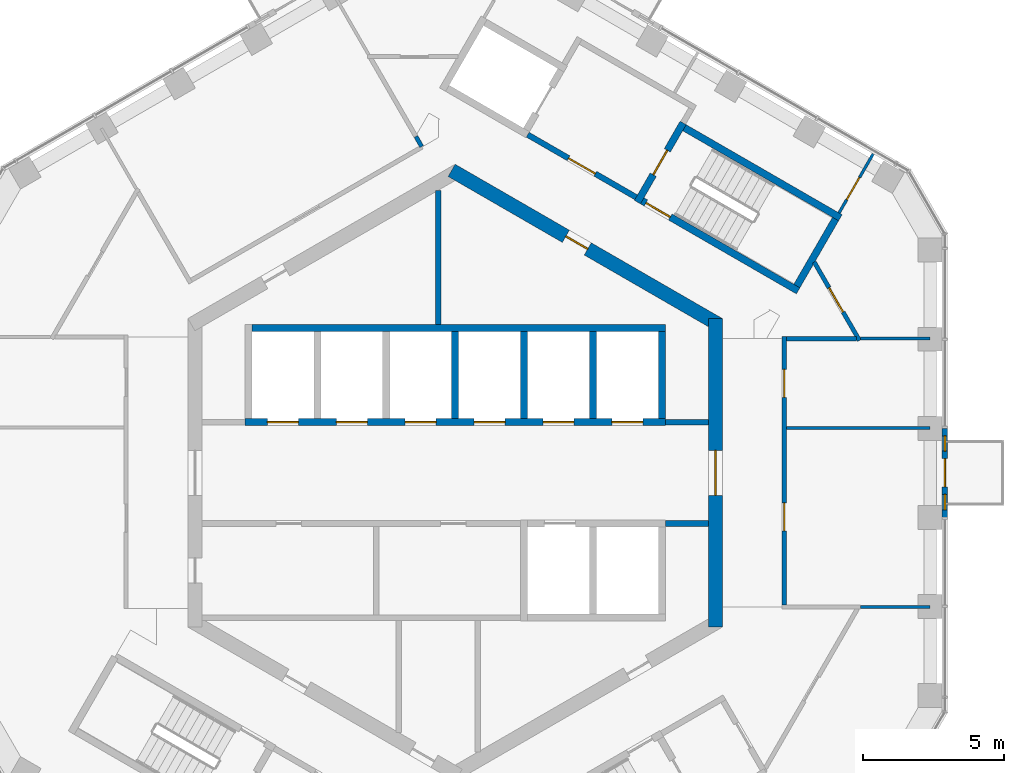
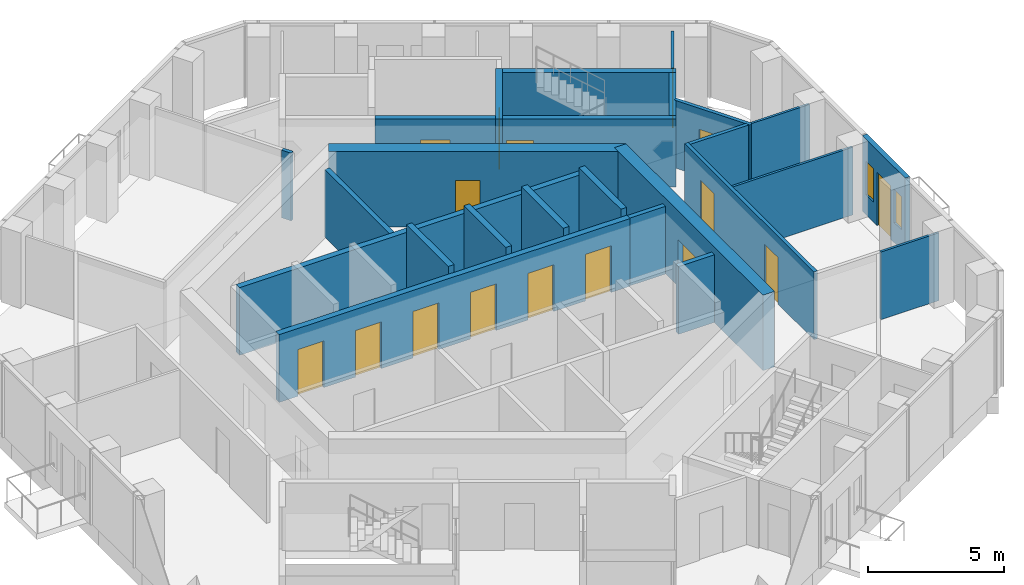
# One storey, part 15 of 19: 25 walls, 16 doors, 2 windows, 18 openings.
"""IFC4 building model written with IfcOpenShell, lengths in metres."""

from ifc_helpers import new_model, si_unit, direction, frame, frame_2d, origin, place, context, subcontext, project, spatial, rectangle, extrude, material, layer, layer_set, type_object, element, fill, save


model = new_model("IFC4")

# Units and contexts
model_context = context("Model", 3, precision=1e-05, world=origin(), true_north=direction((0.0, 1.0)))
body_context = subcontext(model_context, "Body", "Model", "MODEL_VIEW")
ifc_project = project(units=[si_unit("LENGTHUNIT", "METRE"), si_unit("AREAUNIT", "SQUARE_METRE"), si_unit("VOLUMEUNIT", "CUBIC_METRE"), si_unit("PLANEANGLEUNIT", "RADIAN"), si_unit("MASSUNIT", "GRAM", prefix="KILO")], contexts=[model_context])

# Site, building, storey
site_placement = place(None, origin())
site = spatial("IfcSite", under=ifc_project, at=site_placement, CompositionType="ELEMENT")
building_placement = place(site_placement, origin())
building = spatial("IfcBuilding", under=site, at=building_placement, Name="Ayvan Gate Tower", CompositionType="ELEMENT")
storey_placement = place(building_placement, frame((0.0, 0.0, 222.300048828125)))
storey = spatial("IfcBuildingStorey", under=building, at=storey_placement, Name="L59", CompositionType="ELEMENT", Elevation=222.300048828125)

# Wall, openings, door, windows
ifc_material_1 = material(Name="Insulated metal panel wall")
ifc_layer_1 = layer(ifc_material_1, 0.199951171875)
ifc_layer_set_1 = layer_set([ifc_layer_1], Name="Insulated metal panel wall")
wall_type_1 = type_object("IfcWallType", Name="Balcony door wall 200", PredefinedType="SOLIDWALL", material=ifc_layer_set_1)
wall_1_placement = place(storey_placement, frame((17.41259765625, -1.58251953125, 0.0), z_axis=(0.0, 0.0, 1.0), x_axis=(0.0, 1.0, 0.0)))
wall_1 = element("IfcWall", 1, at=wall_1_placement, inside=storey, type_object=wall_type_1, Name="EW:L59:0:2", PredefinedType="SOLIDWALL", context=body_context, shape_type="SweptSolid", body=[
    extrude(rectangle(XDim=3.166015625, YDim=0.199951171875, at=frame_2d((1.5830078125, 0.0))), origin(), (0.0, 0.0, 1.0), 3.39990234375),
])
opening_1_placement = place(wall_1_placement, frame((1.0830078125, 0.0, 0.0)))
opening_1 = element("IfcOpeningElement", 2, at=opening_1_placement, cuts=wall_1, Name="Opening L59-D90", PredefinedType="OPENING", context=body_context, shape_type="SweptSolid", body=[
    extrude(rectangle(XDim=1.0, YDim=2.39990234375, at=frame_2d((0.5, 1.199951171875))), frame((0.0, 0.10986328125, 0.0), z_axis=(0.0, -1.0, 0.0), x_axis=(1.0, 0.0, 0.0)), (0.0, 0.0, 1.0), 0.219970703125),
])
opening_2_placement = place(wall_1_placement, frame((0.2666015625, 0.0, 0.89990234375)))
opening_2 = element("IfcOpeningElement", 3, at=opening_2_placement, cuts=wall_1, Name="Opening W-B4", PredefinedType="OPENING", context=body_context, shape_type="SweptSolid", body=[
    extrude(rectangle(XDim=0.550048828125, YDim=1.5, at=frame_2d((0.27490234375, 0.75))), frame((0.0, 0.10986328125, 0.0), z_axis=(0.0, -1.0, 0.0), x_axis=(1.0, 0.0, 0.0)), (0.0, 0.0, 1.0), 0.219970703125),
])
opening_3_placement = place(wall_1_placement, frame((2.349609375, 0.0, 0.89990234375)))
opening_3 = element("IfcOpeningElement", 4, at=opening_3_placement, cuts=wall_1, Name="Opening W-B4", PredefinedType="OPENING", context=body_context, shape_type="SweptSolid", body=[
    extrude(rectangle(XDim=0.550048828125, YDim=1.5, at=frame_2d((0.27490234375, 0.75))), frame((0.0, 0.10986328125, 0.0), z_axis=(0.0, -1.0, 0.0), x_axis=(1.0, 0.0, 0.0)), (0.0, 0.0, 1.0), 0.219970703125),
])
ifc_material_2 = material(Name="Bronze anodised aluminium and clear glass", Category="aluminium")
door_type_1 = type_object("IfcDoorType", Name="Balcony door D-B", OperationType="SINGLE_SWING_RIGHT", PredefinedType="DOOR", material=ifc_material_2)
door_1_placement = place(opening_1_placement, origin())
door_1 = element("IfcDoor", 5, at=door_1_placement, inside=storey, type_object=door_type_1, Name="Balcony door BAL-L59-0", OperationType="SINGLE_SWING_RIGHT", OverallHeight=2.39990234375, OverallWidth=1.0, PredefinedType="DOOR", context=body_context, shape_type="SweptSolid", body=[
    extrude(rectangle(XDim=1.0, YDim=2.39990234375, at=frame_2d((0.5, 1.199951171875))), frame((0.0, 0.02490234375, 0.0), z_axis=(0.0, -1.0, 0.0), x_axis=(1.0, 0.0, 0.0)), (0.0, 0.0, 1.0), 0.050048828125),
])
fill(opening_1, door_1)
window_type = type_object("IfcWindowType", Name="Balcony side light W-B Z4", PartitioningType="SINGLE_PANEL", PredefinedType="WINDOW", material=ifc_material_2)
window_1_placement = place(opening_2_placement, origin())
window_1 = element("IfcWindow", 6, at=window_1_placement, inside=storey, type_object=window_type, Name="Balcony side light BAL-L59-0.1", OverallHeight=1.5, OverallWidth=0.550048828125, PartitioningType="SINGLE_PANEL", PredefinedType="WINDOW", context=body_context, shape_type="SweptSolid", body=[
    extrude(rectangle(XDim=0.550048828125, YDim=1.5, at=frame_2d((0.27490234375, 0.75))), frame((0.0, 0.030029296875, 0.0), z_axis=(0.0, -1.0, 0.0), x_axis=(1.0, 0.0, 0.0)), (0.0, 0.0, 1.0), 0.06005859375),
])
fill(opening_2, window_1)
window_2_placement = place(opening_3_placement, origin())
window_2 = element("IfcWindow", 7, at=window_2_placement, inside=storey, type_object=window_type, Name="Balcony side light BAL-L59-0.2", OverallHeight=1.5, OverallWidth=0.550048828125, PartitioningType="SINGLE_PANEL", PredefinedType="WINDOW", context=body_context, shape_type="SweptSolid", body=[
    extrude(rectangle(XDim=0.550048828125, YDim=1.5, at=frame_2d((0.27490234375, 0.75))), frame((0.0, 0.030029296875, 0.0), z_axis=(0.0, -1.0, 0.0), x_axis=(1.0, 0.0, 0.0)), (0.0, 0.0, 1.0), 0.06005859375),
])
fill(opening_3, window_2)

# Wall, opening, door
ifc_material_3 = material(Name="Concrete C60/75", Category="concrete")
ifc_layer_2 = layer(ifc_material_3, 0.5)
ifc_layer_set_2 = layer_set([ifc_layer_2], Name="Concrete C60/75")
wall_type_2 = type_object("IfcWallType", Name="Core wall 500 C60/75", PredefinedType="SHEAR", material=ifc_layer_set_2)
wall_2_placement = place(storey_placement, frame((9.25, -5.48486328125, 0.0), z_axis=(0.0, 0.0, 1.0), x_axis=(0.0, 1.0, 0.0)))
wall_2 = element("IfcWall", 8, at=wall_2_placement, inside=storey, type_object=wall_type_2, Name="CORE-L59-0", PredefinedType="SHEAR", context=body_context, shape_type="SweptSolid", body=[
    extrude(rectangle(XDim=10.9697265625, YDim=0.5, at=frame_2d((5.48486328125, 0.0))), origin(), (0.0, 0.0, 1.0), 3.39990234375),
])
opening_4_placement = place(wall_2_placement, frame((4.684814453125, 0.0, 0.0)))
opening_4 = element("IfcOpeningElement", 9, at=opening_4_placement, cuts=wall_2, Name="Opening L59-D102", PredefinedType="OPENING", context=body_context, shape_type="SweptSolid", body=[
    extrude(rectangle(XDim=1.60009765625, YDim=2.10009765625, at=frame_2d((0.800048828125, 1.050048828125))), frame((0.0, 0.260009765625, 0.0), z_axis=(0.0, -1.0, 0.0), x_axis=(1.0, 0.0, 0.0)), (0.0, 0.0, 1.0), 0.52001953125),
])
ifc_material_4 = material(Name="Timber door leaf", Category="wood")
door_type_2 = type_object("IfcDoorType", Name="DT-1600", OperationType="NOTDEFINED", PredefinedType="DOOR", material=ifc_material_4)
door_2_placement = place(opening_4_placement, origin())
door_2 = element("IfcDoor", 10, at=door_2_placement, inside=storey, type_object=door_type_2, Name="CD-L59-102", OperationType="SINGLE_SWING_LEFT", OverallHeight=2.10009765625, OverallWidth=1.60009765625, PredefinedType="DOOR", context=body_context, shape_type="SweptSolid", body=[
    extrude(rectangle(XDim=1.60009765625, YDim=2.10009765625, at=frame_2d((0.800048828125, 1.050048828125))), frame((0.0, 0.02490234375, 0.0), z_axis=(0.0, -1.0, 0.0), x_axis=(1.0, 0.0, 0.0)), (0.0, 0.0, 1.0), 0.050048828125),
])
fill(opening_4, door_2)

wall_3_placement = place(storey_placement, frame((9.375, 5.268310546875, 0.0), z_axis=(0.0, 0.0, 1.0), x_axis=(-0.866023993627, 0.500002442456, 0.0)))
wall_3 = element("IfcWall", 11, at=wall_3_placement, inside=storey, type_object=wall_type_2, Name="CORE-L59-1", PredefinedType="SHEAR", context=body_context, shape_type="SweptSolid", body=[
    extrude(rectangle(XDim=10.9697265625, YDim=0.5, at=frame_2d((5.48486328125, 0.0))), origin(), (0.0, 0.0, 1.0), 3.39990234375),
])
opening_5_placement = place(wall_3_placement, frame((5.3818359375, 0.0, 0.0)))
opening_5 = element("IfcOpeningElement", 12, at=opening_5_placement, cuts=wall_3, Name="Opening L59-D97", PredefinedType="OPENING", context=body_context, shape_type="SweptSolid", body=[
    extrude(rectangle(XDim=0.89990234375, YDim=2.10009765625, at=frame_2d((0.449951171875, 1.050048828125))), frame((0.0, 0.260009765625, 0.0), z_axis=(0.0, -1.0, 0.0), x_axis=(1.0, 0.0, 0.0)), (0.0, 0.0, 1.0), 0.52001953125),
])
door_type_3 = type_object("IfcDoorType", Name="DT-900", OperationType="NOTDEFINED", PredefinedType="DOOR", material=ifc_material_4)
door_3_placement = place(opening_5_placement, origin())
door_3 = element("IfcDoor", 13, at=door_3_placement, inside=storey, type_object=door_type_3, Name="CD-L59-97", OperationType="SINGLE_SWING_RIGHT", OverallHeight=2.10009765625, OverallWidth=0.89990234375, PredefinedType="DOOR", context=body_context, shape_type="SweptSolid", body=[
    extrude(rectangle(XDim=0.89990234375, YDim=2.10009765625, at=frame_2d((0.449951171875, 1.050048828125))), frame((0.0, 0.02490234375, 0.0), z_axis=(0.0, -1.0, 0.0), x_axis=(1.0, 0.0, 0.0)), (0.0, 0.0, 1.0), 0.050048828125),
])
fill(opening_5, door_3)

# Wall
ifc_material_5 = material(Name="Plasterboard on steel stud", Category="steel")
ifc_layer_3 = layer(ifc_material_5, 0.14990234375)
ifc_layer_set_3 = layer_set([ifc_layer_3], Name="Plasterboard on steel stud")
wall_type_3 = type_object("IfcWallType", Name="WT-CORR-150", PredefinedType="PARTITIONING", material=ifc_layer_set_3)
wall_4_placement = place(storey_placement, frame((-1.393310546875, 11.952392578125, 0.0), z_axis=(0.0, 0.0, 1.0), x_axis=(0.500068051468, -0.865986110686, 0.0)))
element("IfcWall", 14, at=wall_4_placement, inside=storey, type_object=wall_type_3, Name="IW-L59-031", PredefinedType="PARTITIONING", context=body_context, shape_type="SweptSolid", body=[
    extrude(rectangle(XDim=0.40771484375, YDim=0.14990234375, at=frame_2d((0.203857421875, 0.0))), origin(), (0.0, 0.0, 1.0), 3.050048828125),
])

# Wall, openings, doors
wall_5_placement = place(storey_placement, frame((11.699951171875, -4.694580078125, 0.0), z_axis=(0.0, 0.0, 1.0), x_axis=(0.0, 1.0, 0.0)))
wall_5 = element("IfcWall", 15, at=wall_5_placement, inside=storey, type_object=wall_type_3, Name="IW-L59-071", PredefinedType="PARTITIONING", context=body_context, shape_type="SweptSolid", body=[
    extrude(rectangle(XDim=9.539306640625, YDim=0.14990234375, at=frame_2d((4.76953125, 0.0))), origin(), (0.0, 0.0, 1.0), 3.050048828125),
])
opening_6_placement = place(wall_5_placement, frame((2.627197265625, 0.0, 0.0)))
opening_6 = element("IfcOpeningElement", 16, at=opening_6_placement, cuts=wall_5, Name="Opening L59-D21", PredefinedType="OPENING", context=body_context, shape_type="SweptSolid", body=[
    extrude(rectangle(XDim=1.0, YDim=2.10009765625, at=frame_2d((0.5, 1.050048828125))), frame((0.0, 0.0849609375, 0.0), z_axis=(0.0, -1.0, 0.0), x_axis=(1.0, 0.0, 0.0)), (0.0, 0.0, 1.0), 0.169921875),
])
opening_7_placement = place(wall_5_placement, frame((7.37451171875, 0.0, 0.0)))
opening_7 = element("IfcOpeningElement", 17, at=opening_7_placement, cuts=wall_5, Name="Opening L59-D22", PredefinedType="OPENING", context=body_context, shape_type="SweptSolid", body=[
    extrude(rectangle(XDim=1.0, YDim=2.10009765625, at=frame_2d((0.5, 1.050048828125))), frame((0.0, 0.0849609375, 0.0), z_axis=(0.0, -1.0, 0.0), x_axis=(1.0, 0.0, 0.0)), (0.0, 0.0, 1.0), 0.169921875),
])
door_type_4 = type_object("IfcDoorType", Name="DT-1000", OperationType="NOTDEFINED", PredefinedType="DOOR", material=ifc_material_4)
door_4_placement = place(opening_6_placement, origin())
door_4 = element("IfcDoor", 18, at=door_4_placement, inside=storey, type_object=door_type_4, Name="ID-L59-021", OperationType="SINGLE_SWING_RIGHT", OverallHeight=2.10009765625, OverallWidth=1.0, PredefinedType="DOOR", context=body_context, shape_type="SweptSolid", body=[
    extrude(rectangle(XDim=1.0, YDim=2.10009765625, at=frame_2d((0.5, 1.050048828125))), frame((0.0, 0.02490234375, 0.0), z_axis=(0.0, -1.0, 0.0), x_axis=(1.0, 0.0, 0.0)), (0.0, 0.0, 1.0), 0.050048828125),
])
fill(opening_6, door_4)
door_5_placement = place(opening_7_placement, origin())
door_5 = element("IfcDoor", 19, at=door_5_placement, inside=storey, type_object=door_type_4, Name="ID-L59-022", OperationType="SINGLE_SWING_LEFT", OverallHeight=2.10009765625, OverallWidth=1.0, PredefinedType="DOOR", context=body_context, shape_type="SweptSolid", body=[
    extrude(rectangle(XDim=1.0, YDim=2.10009765625, at=frame_2d((0.5, 1.050048828125))), frame((0.0, 0.02490234375, 0.0), z_axis=(0.0, -1.0, 0.0), x_axis=(1.0, 0.0, 0.0)), (0.0, 0.0, 1.0), 0.050048828125),
])
fill(opening_7, door_5)

# Wall, opening, door
wall_6_placement = place(storey_placement, frame((12.76513671875, 7.493408203125, 0.0), z_axis=(0.0, 0.0, 1.0), x_axis=(0.499995898912, -0.866027771536, 0.0)))
wall_6 = element("IfcWall", 20, at=wall_6_placement, inside=storey, type_object=wall_type_3, Name="IW-L59-074", PredefinedType="PARTITIONING", context=body_context, shape_type="SweptSolid", body=[
    extrude(rectangle(XDim=3.22021484375, YDim=0.14990234375, at=frame_2d((1.610107421875, 0.0))), origin(), (0.0, 0.0, 1.0), 3.050048828125),
])
opening_8_placement = place(wall_6_placement, frame((1.05517578125, 0.0, 0.0)))
opening_8 = element("IfcOpeningElement", 21, at=opening_8_placement, cuts=wall_6, Name="Opening L59-D23", PredefinedType="OPENING", context=body_context, shape_type="SweptSolid", body=[
    extrude(rectangle(XDim=1.0, YDim=2.10009765625, at=frame_2d((0.5, 1.050048828125))), frame((0.0, 0.0849609375, 0.0), z_axis=(0.0, -1.0, 0.0), x_axis=(1.0, 0.0, 0.0)), (0.0, 0.0, 1.0), 0.169921875),
])
door_6_placement = place(opening_8_placement, origin())
door_6 = element("IfcDoor", 22, at=door_6_placement, inside=storey, type_object=door_type_4, Name="ID-L59-023", OperationType="SINGLE_SWING_RIGHT", OverallHeight=2.10009765625, OverallWidth=1.0, PredefinedType="DOOR", context=body_context, shape_type="SweptSolid", body=[
    extrude(rectangle(XDim=1.0, YDim=2.10009765625, at=frame_2d((0.5, 1.050048828125))), frame((0.0, 0.02490234375, 0.0), z_axis=(0.0, -1.0, 0.0), x_axis=(1.0, 0.0, 0.0)), (0.0, 0.0, 1.0), 0.050048828125),
])
fill(opening_8, door_6)

# Walls
wall_7_placement = place(storey_placement, frame((14.2626953125, 4.769775390625, 0.0), z_axis=(0.0, 0.0, 1.0), x_axis=(-1.0, 0.0, 0.0)))
element("IfcWall", 23, at=wall_7_placement, inside=storey, type_object=wall_type_3, Name="IW-L59-077", PredefinedType="PARTITIONING", context=body_context, shape_type="SweptSolid", body=[
    extrude(rectangle(XDim=2.48779296875, YDim=0.14990234375, at=frame_2d((1.243896484375, 0.0))), origin(), (0.0, 0.0, 1.0), 3.050048828125),
])
ifc_layer_4 = layer(ifc_material_5, 0.10009765625)
ifc_layer_set_4 = layer_set([ifc_layer_4], Name="Plasterboard on steel stud")
wall_type_4 = type_object("IfcWallType", Name="WT-PART-100", PredefinedType="PARTITIONING", material=ifc_layer_set_4)
wall_8_placement = place(storey_placement, frame((11.77490234375, 1.58984375, 0.0), z_axis=(0.0, 0.0, 1.0), x_axis=(1.0, 0.0, 0.0)))
element("IfcWall", 24, at=wall_8_placement, inside=storey, type_object=wall_type_4, Name="IW-L59-070", PredefinedType="PARTITIONING", context=body_context, shape_type="SweptSolid", body=[
    extrude(rectangle(XDim=5.112548828125, YDim=0.10009765625, at=frame_2d((2.55615234375, 0.0))), origin(), (0.0, 0.0, 1.0), 3.050048828125),
])

# Wall, opening, door
wall_9_placement = place(storey_placement, frame((13.647705078125, 9.23876953125, 0.0), z_axis=(0.0, 0.0, 1.0), x_axis=(0.500103096288, 0.865965872932, 0.0)))
wall_9 = element("IfcWall", 25, at=wall_9_placement, inside=storey, type_object=wall_type_4, Name="IW-L59-076", PredefinedType="PARTITIONING", context=body_context, shape_type="SweptSolid", body=[
    extrude(rectangle(XDim=2.42431640625, YDim=0.10009765625, at=frame_2d((1.212158203125, 0.0))), origin(), (0.0, 0.0, 1.0), 3.050048828125),
])
opening_9_placement = place(wall_9_placement, frame((0.551513671875, 0.0, 0.0)))
opening_9 = element("IfcOpeningElement", 26, at=opening_9_placement, cuts=wall_9, Name="Opening L59-D24", PredefinedType="OPENING", context=body_context, shape_type="SweptSolid", body=[
    extrude(rectangle(XDim=0.89990234375, YDim=2.10009765625, at=frame_2d((0.449951171875, 1.050048828125))), frame((0.0, 0.06005859375, 0.0), z_axis=(0.0, -1.0, 0.0), x_axis=(1.0, 0.0, 0.0)), (0.0, 0.0, 1.0), 0.1201171875),
])
door_7_placement = place(opening_9_placement, origin())
door_7 = element("IfcDoor", 27, at=door_7_placement, inside=storey, type_object=door_type_3, Name="ID-L59-024", OperationType="SINGLE_SWING_LEFT", OverallHeight=2.10009765625, OverallWidth=0.89990234375, PredefinedType="DOOR", context=body_context, shape_type="SweptSolid", body=[
    extrude(rectangle(XDim=0.89990234375, YDim=2.10009765625, at=frame_2d((0.449951171875, 1.050048828125))), frame((0.0, 0.02490234375, 0.0), z_axis=(0.0, -1.0, 0.0), x_axis=(1.0, 0.0, 0.0)), (0.0, 0.0, 1.0), 0.050048828125),
])
fill(opening_9, door_7)

# Walls
for number, where, z_axis, x_axis, name in (
    (28, (14.41259765625, 4.769775390625, 0.0), (0.0, 0.0, 1.0), (1.0, 0.0, 0.0), "IW-L59-078"),
    (29, (16.887451171875, -4.769775390625, 0.0), (0.0, 0.0, 1.0), (-1.0, 0.0, 0.0), "IW-L59-080"),
):
    element("IfcWall", number, at=place(storey_placement, frame(where, z_axis=z_axis, x_axis=x_axis)), inside=storey, type_object=wall_type_4, Name=name, PredefinedType="PARTITIONING", context=body_context, shape_type="SweptSolid", body=[
        extrude(rectangle(XDim=2.474853515625, YDim=0.10009765625, at=frame_2d((1.2373046875, 0.0))), origin(), (0.0, 0.0, 1.0), 3.050048828125),
    ])
ifc_layer_5 = layer(ifc_material_5, 0.199951171875)
ifc_layer_set_5 = layer_set([ifc_layer_5], Name="Plasterboard on steel stud")
wall_type_5 = type_object("IfcWallType", Name="WT-RATED-200", PredefinedType="PARTITIONING", material=ifc_layer_set_5)
wall_10_placement = place(storey_placement, frame((-0.60009765625, 10.0458984375, 0.0), z_axis=(0.0, 0.0, 1.0), x_axis=(0.0, -1.0, 0.0)))
element("IfcWall", 30, at=wall_10_placement, inside=storey, type_object=wall_type_5, Name="IW-L59-033", PredefinedType="PARTITIONING", context=body_context, shape_type="SweptSolid", body=[
    extrude(rectangle(XDim=4.77099609375, YDim=0.199951171875, at=frame_2d((2.385498046875, 0.0))), origin(), (0.0, 0.0, 1.0), 3.050048828125),
])

# Wall, opening, door
wall_11_placement = place(storey_placement, frame((6.4345703125, 9.794921875, 0.0), z_axis=(0.0, 0.0, 1.0), x_axis=(-0.866012907634, 0.500021643343, 0.0)))
wall_11 = element("IfcWall", 31, at=wall_11_placement, inside=storey, type_object=wall_type_5, Name="IW-L59-054", PredefinedType="PARTITIONING", context=body_context, shape_type="SweptSolid", body=[
    extrude(rectangle(XDim=4.449951171875, YDim=0.199951171875, at=frame_2d((2.22509765625, 0.0))), origin(), (0.0, 0.0, 1.0), 3.050048828125),
])
opening_10_placement = place(wall_11_placement, frame((1.675048828125, 0.0, 0.0)))
opening_10 = element("IfcOpeningElement", 32, at=opening_10_placement, cuts=wall_11, Name="Opening L59-D12", PredefinedType="OPENING", context=body_context, shape_type="SweptSolid", body=[
    extrude(rectangle(XDim=1.10009765625, YDim=2.10009765625, at=frame_2d((0.550048828125, 1.050048828125))), frame((0.0, 0.10986328125, 0.0), z_axis=(0.0, -1.0, 0.0), x_axis=(1.0, 0.0, 0.0)), (0.0, 0.0, 1.0), 0.219970703125),
])
door_type_5 = type_object("IfcDoorType", Name="DT-1100", OperationType="NOTDEFINED", PredefinedType="DOOR", material=ifc_material_4)
door_8_placement = place(opening_10_placement, origin())
door_8 = element("IfcDoor", 33, at=door_8_placement, inside=storey, type_object=door_type_5, Name="ID-L59-012", OperationType="SINGLE_SWING_LEFT", OverallHeight=2.10009765625, OverallWidth=1.10009765625, PredefinedType="DOOR", context=body_context, shape_type="SweptSolid", body=[
    extrude(rectangle(XDim=1.10009765625, YDim=2.10009765625, at=frame_2d((0.550048828125, 1.050048828125))), frame((0.0, 0.02490234375, 0.0), z_axis=(0.0, -1.0, 0.0), x_axis=(1.0, 0.0, 0.0)), (0.0, 0.0, 1.0), 0.050048828125),
])
fill(opening_10, door_8)

# Walls
for number, where, z_axis, x_axis, name in (
    (34, (7.474853515625, 1.800048828125, 0.0), (0.0, 0.0, 1.0), (1.0, 0.0, 0.0), "IW-L59-060"),
    (35, (9.0, -1.800048828125, 0.0), (0.0, 0.0, 1.0), (-1.0, 0.0, 0.0), "IW-L59-066"),
):
    element("IfcWall", number, at=place(storey_placement, frame(where, z_axis=z_axis, x_axis=x_axis)), inside=storey, type_object=wall_type_5, Name=name, PredefinedType="PARTITIONING", context=body_context, shape_type="SweptSolid", body=[
        extrude(rectangle(XDim=1.525146484375, YDim=0.199951171875, at=frame_2d((0.7626953125, 0.0))), origin(), (0.0, 0.0, 1.0), 3.050048828125),
    ])

# Wall, openings, doors
ifc_material_6 = material(Name="Concrete C50/60", Category="concrete")
ifc_layer_6 = layer(ifc_material_6, 0.25)
ifc_layer_set_6 = layer_set([ifc_layer_6], Name="Concrete C50/60")
wall_type_6 = type_object("IfcWallType", Name="WT-RC-250", PredefinedType="SHEAR", material=ifc_layer_set_6)
wall_12_placement = place(storey_placement, frame((-7.47509765625, 1.800048828125, 0.0), z_axis=(0.0, 0.0, 1.0), x_axis=(1.0, 0.0, 0.0)))
wall_12 = element("IfcWall", 36, at=wall_12_placement, inside=storey, type_object=wall_type_6, Name="IW-L59-013", PredefinedType="SHEAR", context=body_context, shape_type="SweptSolid", body=[
    extrude(rectangle(XDim=14.9501953125, YDim=0.25, at=frame_2d((7.47509765625, 0.0))), origin(), (0.0, 0.0, 1.0), 3.050048828125),
])
opening_11_placement = place(wall_12_placement, frame((0.800048828125, 0.0, 0.0)))
opening_11 = element("IfcOpeningElement", 37, at=opening_11_placement, cuts=wall_12, Name="Opening L59-LD-HR1", PredefinedType="OPENING", context=body_context, shape_type="SweptSolid", body=[
    extrude(rectangle(XDim=1.10009765625, YDim=2.10009765625, at=frame_2d((0.550048828125, 1.050048828125))), frame((0.0, 0.135009765625, 0.0), z_axis=(0.0, -1.0, 0.0), x_axis=(1.0, 0.0, 0.0)), (0.0, 0.0, 1.0), 0.27001953125),
])
opening_12_placement = place(wall_12_placement, frame((3.25, 0.0, 0.0)))
opening_12 = element("IfcOpeningElement", 38, at=opening_12_placement, cuts=wall_12, Name="Opening L59-LD-HR2", PredefinedType="OPENING", context=body_context, shape_type="SweptSolid", body=[
    extrude(rectangle(XDim=1.10009765625, YDim=2.10009765625, at=frame_2d((0.550048828125, 1.050048828125))), frame((0.0, 0.135009765625, 0.0), z_axis=(0.0, -1.0, 0.0), x_axis=(1.0, 0.0, 0.0)), (0.0, 0.0, 1.0), 0.27001953125),
])
opening_13_placement = place(wall_12_placement, frame((5.7001953125, 0.0, 0.0)))
opening_13 = element("IfcOpeningElement", 39, at=opening_13_placement, cuts=wall_12, Name="Opening L59-LD-HR3", PredefinedType="OPENING", context=body_context, shape_type="SweptSolid", body=[
    extrude(rectangle(XDim=1.10009765625, YDim=2.10009765625, at=frame_2d((0.550048828125, 1.050048828125))), frame((0.0, 0.135009765625, 0.0), z_axis=(0.0, -1.0, 0.0), x_axis=(1.0, 0.0, 0.0)), (0.0, 0.0, 1.0), 0.27001953125),
])
opening_14_placement = place(wall_12_placement, frame((8.150146484375, 0.0, 0.0)))
opening_14 = element("IfcOpeningElement", 40, at=opening_14_placement, cuts=wall_12, Name="Opening L59-LD-HR4", PredefinedType="OPENING", context=body_context, shape_type="SweptSolid", body=[
    extrude(rectangle(XDim=1.10009765625, YDim=2.10009765625, at=frame_2d((0.550048828125, 1.050048828125))), frame((0.0, 0.135009765625, 0.0), z_axis=(0.0, -1.0, 0.0), x_axis=(1.0, 0.0, 0.0)), (0.0, 0.0, 1.0), 0.27001953125),
])
opening_15_placement = place(wall_12_placement, frame((10.60009765625, 0.0, 0.0)))
opening_15 = element("IfcOpeningElement", 41, at=opening_15_placement, cuts=wall_12, Name="Opening L59-LD-HR5", PredefinedType="OPENING", context=body_context, shape_type="SweptSolid", body=[
    extrude(rectangle(XDim=1.10009765625, YDim=2.10009765625, at=frame_2d((0.550048828125, 1.050048828125))), frame((0.0, 0.135009765625, 0.0), z_axis=(0.0, -1.0, 0.0), x_axis=(1.0, 0.0, 0.0)), (0.0, 0.0, 1.0), 0.27001953125),
])
opening_16_placement = place(wall_12_placement, frame((13.050048828125, 0.0, 0.0)))
opening_16 = element("IfcOpeningElement", 42, at=opening_16_placement, cuts=wall_12, Name="Opening L59-LD-HR6", PredefinedType="OPENING", context=body_context, shape_type="SweptSolid", body=[
    extrude(rectangle(XDim=1.10009765625, YDim=2.10009765625, at=frame_2d((0.550048828125, 1.050048828125))), frame((0.0, 0.135009765625, 0.0), z_axis=(0.0, -1.0, 0.0), x_axis=(1.0, 0.0, 0.0)), (0.0, 0.0, 1.0), 0.27001953125),
])
ifc_material_7 = material(Name="Stainless steel landing door", Category="steel")
door_type_6 = type_object("IfcDoorType", Name="DT-LANDING-1100", OperationType="SLIDING_TO_LEFT", PredefinedType="DOOR", material=ifc_material_7)
door_9_placement = place(opening_11_placement, origin())
door_9 = element("IfcDoor", 43, at=door_9_placement, inside=storey, type_object=door_type_6, Name="ID-L59-001", OperationType="SLIDING_TO_LEFT", OverallHeight=2.10009765625, OverallWidth=1.10009765625, PredefinedType="DOOR", context=body_context, shape_type="SweptSolid", body=[
    extrude(rectangle(XDim=1.10009765625, YDim=2.10009765625, at=frame_2d((0.550048828125, 1.050048828125))), frame((0.0, 0.02490234375, 0.0), z_axis=(0.0, -1.0, 0.0), x_axis=(1.0, 0.0, 0.0)), (0.0, 0.0, 1.0), 0.050048828125),
])
fill(opening_11, door_9)
door_10_placement = place(opening_12_placement, origin())
door_10 = element("IfcDoor", 44, at=door_10_placement, inside=storey, type_object=door_type_6, Name="ID-L59-002", OperationType="SLIDING_TO_LEFT", OverallHeight=2.10009765625, OverallWidth=1.10009765625, PredefinedType="DOOR", context=body_context, shape_type="SweptSolid", body=[
    extrude(rectangle(XDim=1.10009765625, YDim=2.10009765625, at=frame_2d((0.550048828125, 1.050048828125))), frame((0.0, 0.02490234375, 0.0), z_axis=(0.0, -1.0, 0.0), x_axis=(1.0, 0.0, 0.0)), (0.0, 0.0, 1.0), 0.050048828125),
])
fill(opening_12, door_10)
door_11_placement = place(opening_13_placement, origin())
door_11 = element("IfcDoor", 45, at=door_11_placement, inside=storey, type_object=door_type_6, Name="ID-L59-003", OperationType="SLIDING_TO_LEFT", OverallHeight=2.10009765625, OverallWidth=1.10009765625, PredefinedType="DOOR", context=body_context, shape_type="SweptSolid", body=[
    extrude(rectangle(XDim=1.10009765625, YDim=2.10009765625, at=frame_2d((0.550048828125, 1.050048828125))), frame((0.0, 0.02490234375, 0.0), z_axis=(0.0, -1.0, 0.0), x_axis=(1.0, 0.0, 0.0)), (0.0, 0.0, 1.0), 0.050048828125),
])
fill(opening_13, door_11)
door_12_placement = place(opening_14_placement, origin())
door_12 = element("IfcDoor", 46, at=door_12_placement, inside=storey, type_object=door_type_6, Name="ID-L59-004", OperationType="SLIDING_TO_LEFT", OverallHeight=2.10009765625, OverallWidth=1.10009765625, PredefinedType="DOOR", context=body_context, shape_type="SweptSolid", body=[
    extrude(rectangle(XDim=1.10009765625, YDim=2.10009765625, at=frame_2d((0.550048828125, 1.050048828125))), frame((0.0, 0.02490234375, 0.0), z_axis=(0.0, -1.0, 0.0), x_axis=(1.0, 0.0, 0.0)), (0.0, 0.0, 1.0), 0.050048828125),
])
fill(opening_14, door_12)
door_13_placement = place(opening_15_placement, origin())
door_13 = element("IfcDoor", 47, at=door_13_placement, inside=storey, type_object=door_type_6, Name="ID-L59-005", OperationType="SLIDING_TO_LEFT", OverallHeight=2.10009765625, OverallWidth=1.10009765625, PredefinedType="DOOR", context=body_context, shape_type="SweptSolid", body=[
    extrude(rectangle(XDim=1.10009765625, YDim=2.10009765625, at=frame_2d((0.550048828125, 1.050048828125))), frame((0.0, 0.02490234375, 0.0), z_axis=(0.0, -1.0, 0.0), x_axis=(1.0, 0.0, 0.0)), (0.0, 0.0, 1.0), 0.050048828125),
])
fill(opening_15, door_13)
door_14_placement = place(opening_16_placement, origin())
door_14 = element("IfcDoor", 48, at=door_14_placement, inside=storey, type_object=door_type_6, Name="ID-L59-006", OperationType="SLIDING_TO_LEFT", OverallHeight=2.10009765625, OverallWidth=1.10009765625, PredefinedType="DOOR", context=body_context, shape_type="SweptSolid", body=[
    extrude(rectangle(XDim=1.10009765625, YDim=2.10009765625, at=frame_2d((0.550048828125, 1.050048828125))), frame((0.0, 0.02490234375, 0.0), z_axis=(0.0, -1.0, 0.0), x_axis=(1.0, 0.0, 0.0)), (0.0, 0.0, 1.0), 0.050048828125),
])
fill(opening_16, door_14)

# Walls
wall_13_placement = place(storey_placement, frame((-7.22509765625, 5.14990234375, 0.0), z_axis=(0.0, 0.0, 1.0), x_axis=(1.0, 0.0, 0.0)))
element("IfcWall", 49, at=wall_13_placement, inside=storey, type_object=wall_type_6, Name="IW-L59-015", PredefinedType="SHEAR", context=body_context, shape_type="SweptSolid", body=[
    extrude(rectangle(XDim=14.7001953125, YDim=0.25, at=frame_2d((7.35009765625, 0.0))), origin(), (0.0, 0.0, 1.0), 3.050048828125),
])
for number, where, z_axis, x_axis, name in (
    (50, (0.0, 5.02490234375, 0.0), (0.0, 0.0, 1.0), (0.0, -1.0, 0.0), "IW-L59-036"),
    (51, (2.449951171875, 5.02490234375, 0.0), (0.0, 0.0, 1.0), (0.0, -1.0, 0.0), "IW-L59-042"),
    (52, (4.89990234375, 5.02490234375, 0.0), (0.0, 0.0, 1.0), (0.0, -1.0, 0.0), "IW-L59-052"),
):
    element("IfcWall", number, at=place(storey_placement, frame(where, z_axis=z_axis, x_axis=x_axis)), inside=storey, type_object=wall_type_6, Name=name, PredefinedType="SHEAR", context=body_context, shape_type="SweptSolid", body=[
        extrude(rectangle(XDim=3.099853515625, YDim=0.25, at=frame_2d((1.5498046875, 0.0))), origin(), (0.0, 0.0, 1.0), 3.39990234375),
    ])

# Wall, opening, door
wall_14_placement = place(storey_placement, frame((6.480224609375, 9.624267578125, 0.0), z_axis=(0.0, 0.0, 1.0), x_axis=(0.500017246033, 0.866015446554, 0.0)))
wall_14 = element("IfcWall", 53, at=wall_14_placement, inside=storey, type_object=wall_type_6, Name="IW-L59-055", PredefinedType="SHEAR", context=body_context, shape_type="SweptSolid", body=[
    extrude(rectangle(XDim=3.25, YDim=0.25, at=frame_2d((1.625, 0.0))), origin(), (0.0, 0.0, 1.0), 3.050048828125),
])
opening_17_placement = place(wall_14_placement, frame((1.125, 0.0, 0.0)))
opening_17 = element("IfcOpeningElement", 54, at=opening_17_placement, cuts=wall_14, Name="Opening L59-D11", PredefinedType="OPENING", context=body_context, shape_type="SweptSolid", body=[
    extrude(rectangle(XDim=1.0, YDim=2.10009765625, at=frame_2d((0.5, 1.050048828125))), frame((0.0, 0.135009765625, 0.0), z_axis=(0.0, -1.0, 0.0), x_axis=(1.0, 0.0, 0.0)), (0.0, 0.0, 1.0), 0.27001953125),
])
door_15_placement = place(opening_17_placement, origin())
door_15 = element("IfcDoor", 55, at=door_15_placement, inside=storey, type_object=door_type_4, Name="ID-L59-011", OperationType="SINGLE_SWING_RIGHT", OverallHeight=2.10009765625, OverallWidth=1.0, PredefinedType="DOOR", context=body_context, shape_type="SweptSolid", body=[
    extrude(rectangle(XDim=1.0, YDim=2.10009765625, at=frame_2d((0.5, 1.050048828125))), frame((0.0, 0.02490234375, 0.0), z_axis=(0.0, -1.0, 0.0), x_axis=(1.0, 0.0, 0.0)), (0.0, 0.0, 1.0), 0.050048828125),
])
fill(opening_17, door_15)

# Walls
wall_15_placement = place(storey_placement, frame((7.35009765625, 5.02490234375, 0.0), z_axis=(0.0, 0.0, 1.0), x_axis=(0.0, -1.0, 0.0)))
element("IfcWall", 56, at=wall_15_placement, inside=storey, type_object=wall_type_6, Name="IW-L59-062", PredefinedType="SHEAR", context=body_context, shape_type="SweptSolid", body=[
    extrude(rectangle(XDim=3.099853515625, YDim=0.25, at=frame_2d((1.5498046875, 0.0))), origin(), (0.0, 0.0, 1.0), 3.39990234375),
])
wall_16_placement = place(storey_placement, frame((8.151123046875, 12.26806640625, 0.0), z_axis=(0.0, 0.0, 1.0), x_axis=(0.866025499775, -0.499999833739, 0.0)))
element("IfcWall", 57, at=wall_16_placement, inside=storey, type_object=wall_type_6, Name="IW-L59-064", PredefinedType="SHEAR", context=body_context, shape_type="SweptSolid", body=[
    extrude(rectangle(XDim=6.39990234375, YDim=0.25, at=frame_2d((3.199951171875, 0.0))), origin(), (0.0, 0.0, 1.0), 3.050048828125),
])

# Wall, opening, door
wall_17_placement = place(storey_placement, frame((12.193603515625, 6.469970703125, 0.0), z_axis=(0.0, 0.0, 1.0), x_axis=(-0.866025499775, 0.499999833739, 0.0)))
wall_17 = element("IfcWall", 58, at=wall_17_placement, inside=storey, type_object=wall_type_6, Name="IW-L59-073", PredefinedType="SHEAR", context=body_context, shape_type="SweptSolid", body=[
    extrude(rectangle(XDim=6.39990234375, YDim=0.25, at=frame_2d((3.199951171875, 0.0))), origin(), (0.0, 0.0, 1.0), 3.050048828125),
])
opening_18_placement = place(wall_17_placement, frame((5.25, 0.0, 0.0)))
opening_18 = element("IfcOpeningElement", 59, at=opening_18_placement, cuts=wall_17, Name="Opening L59-D10", PredefinedType="OPENING", context=body_context, shape_type="SweptSolid", body=[
    extrude(rectangle(XDim=1.0, YDim=2.10009765625, at=frame_2d((0.5, 1.050048828125))), frame((0.0, 0.135009765625, 0.0), z_axis=(0.0, -1.0, 0.0), x_axis=(1.0, 0.0, 0.0)), (0.0, 0.0, 1.0), 0.27001953125),
])
door_16_placement = place(opening_18_placement, origin())
door_16 = element("IfcDoor", 60, at=door_16_placement, inside=storey, type_object=door_type_4, Name="ID-L59-010", OperationType="SINGLE_SWING_LEFT", OverallHeight=2.10009765625, OverallWidth=1.0, PredefinedType="DOOR", context=body_context, shape_type="SweptSolid", body=[
    extrude(rectangle(XDim=1.0, YDim=2.10009765625, at=frame_2d((0.5, 1.050048828125))), frame((0.0, 0.02490234375, 0.0), z_axis=(0.0, -1.0, 0.0), x_axis=(1.0, 0.0, 0.0)), (0.0, 0.0, 1.0), 0.050048828125),
])
fill(opening_18, door_16)

# Wall
wall_18_placement = place(storey_placement, frame((12.14794921875, 6.640869140625, 0.0), z_axis=(0.0, 0.0, 1.0), x_axis=(0.500034990121, 0.866005201286, 0.0)))
element("IfcWall", 61, at=wall_18_placement, inside=storey, type_object=wall_type_6, Name="IW-L59-075", PredefinedType="SHEAR", context=body_context, shape_type="SweptSolid", body=[
    extrude(rectangle(XDim=2.749755859375, YDim=0.25, at=frame_2d((1.375, 0.0))), origin(), (0.0, 0.0, 1.0), 3.050048828125),
])

save(model, "model.ifc")
